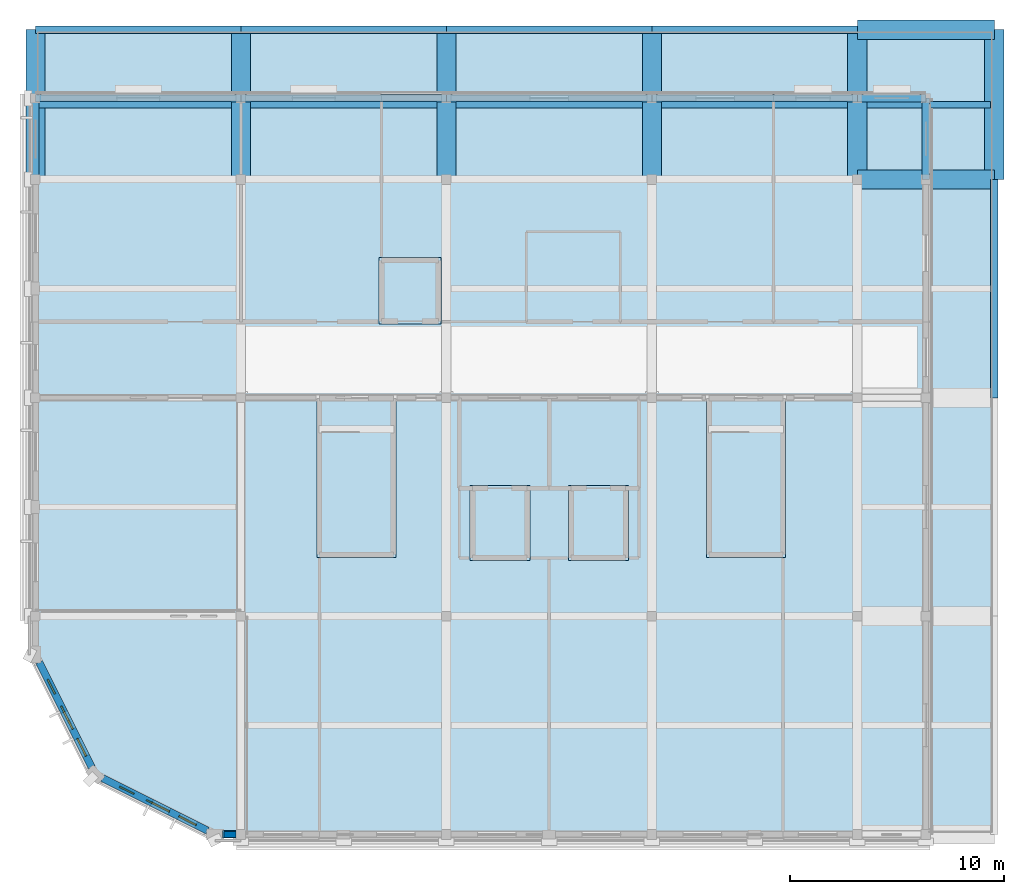
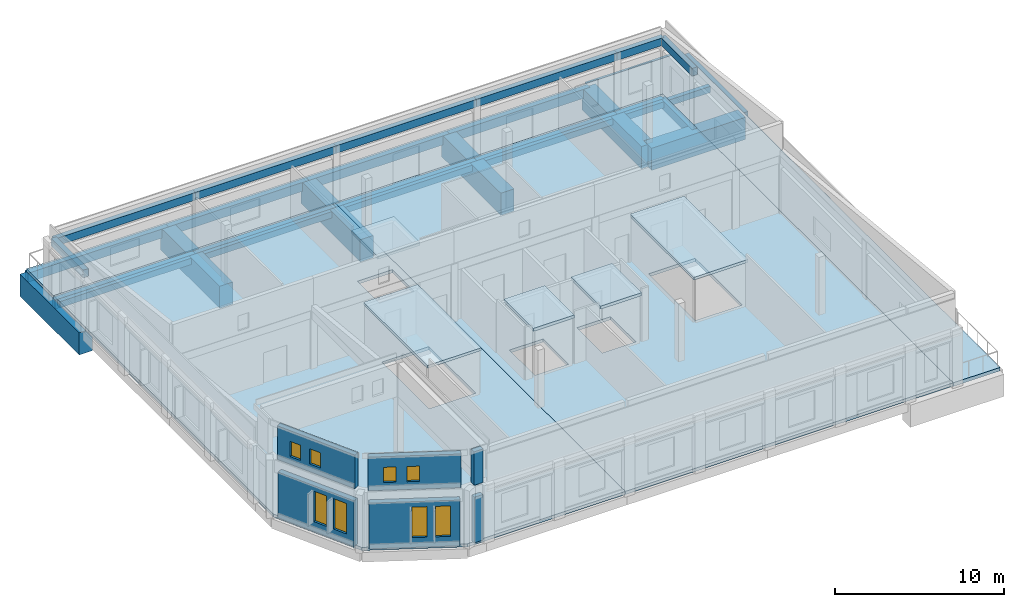
# One storey, part 2 of 8: 31 beams, 8 slabs, 8 windows, 6 walls, 8 openings.
"""IFC4 building model written with IfcOpenShell, lengths in metres."""

from ifc_helpers import new_model, si_unit, direction, frame, frame_2d, origin, origin_2d, place, context, subcontext, project, spatial, polyline, rectangle, outline, extrude, material, layer, layer_set, material_profile, profile_set, type_object, element, fill, save


model = new_model("IFC4")

# Units and contexts
model_context = context("Model", 3, precision=1e-05, world=origin(), true_north=direction((0.0, 1.0)))
body_context = subcontext(model_context, "Body", "Model", "MODEL_VIEW")
ifc_project = project(units=[si_unit("LENGTHUNIT", "METRE"), si_unit("AREAUNIT", "SQUARE_METRE"), si_unit("VOLUMEUNIT", "CUBIC_METRE"), si_unit("PLANEANGLEUNIT", "RADIAN"), si_unit("MASSUNIT", "GRAM", prefix="KILO")], contexts=[model_context])

# Site, building, storey
site_placement = place(None, origin())
site = spatial("IfcSite", under=ifc_project, at=site_placement, CompositionType="ELEMENT")
building_placement = place(site_placement, origin())
building = spatial("IfcBuilding", under=site, at=building_placement, Name="Vondelvale Polytechnic", CompositionType="ELEMENT")
storey_placement = place(building_placement, frame((0.0, 0.0, 30.60009765625)))
storey = spatial("IfcBuildingStorey", under=building, at=storey_placement, Name="L07", CompositionType="ELEMENT", Elevation=30.60009765625)

# Beams
ifc_material_1 = material(Name="Concrete N40 (f'c = 40 MPa)", Category="concrete")
ifc_material_profile_1 = material_profile(ifc_material_1, rectangle(XDim=0.35009765625, YDim=0.550048828125, at=origin_2d()), Name="RC-BM-350x550")
ifc_profile_set_1 = profile_set([ifc_material_profile_1], Name="Concrete N40 (f'c = 40 MPa)")
beam_type_1 = type_object("IfcBeamType", Name="BM-RC350x550", PredefinedType="BEAM", material=ifc_profile_set_1)
beam_1_placement = place(storey_placement, frame((0.0, 34.39990234375, 3.9248046875), z_axis=(1.0, 0.0, 0.0), x_axis=(0.0, 1.0, 0.0)))
element("IfcBeam", 1, at=beam_1_placement, inside=storey, type_object=beam_type_1, Name="L07 RT B-06", PredefinedType="BEAM", context=body_context, shape_type="SweptSolid", body=[
    extrude(rectangle(XDim=0.35009765625, YDim=0.550048828125, at=origin_2d()), origin(), (0.0, 0.0, 1.0), 9.60009765625),
])
beam_2_placement = place(storey_placement, frame((9.60009765625, 34.39990234375, 3.9248046875), z_axis=(1.0, 0.0, 0.0), x_axis=(0.0, 1.0, 0.0)))
element("IfcBeam", 2, at=beam_2_placement, inside=storey, type_object=beam_type_1, Name="L07 RT B-06", PredefinedType="BEAM", context=body_context, shape_type="SweptSolid", body=[
    extrude(rectangle(XDim=0.35009765625, YDim=0.550048828125, at=origin_2d()), origin(), (0.0, 0.0, 1.0), 9.599853515625),
])
beam_3_placement = place(storey_placement, frame((19.199951171875, 34.39990234375, 3.9248046875), z_axis=(1.0, 0.0, 0.0), x_axis=(0.0, 1.0, 0.0)))
element("IfcBeam", 3, at=beam_3_placement, inside=storey, type_object=beam_type_1, Name="L07 RT B-06", PredefinedType="BEAM", context=body_context, shape_type="SweptSolid", body=[
    extrude(rectangle(XDim=0.35009765625, YDim=0.550048828125, at=origin_2d()), origin(), (0.0, 0.0, 1.0), 9.60009765625),
])
beam_4_placement = place(storey_placement, frame((28.800048828125, 34.39990234375, 3.9248046875), z_axis=(1.0, 0.0, 0.0), x_axis=(0.0, 1.0, 0.0)))
element("IfcBeam", 4, at=beam_4_placement, inside=storey, type_object=beam_type_1, Name="L07 RT B-06", PredefinedType="BEAM", context=body_context, shape_type="SweptSolid", body=[
    extrude(rectangle(XDim=0.35009765625, YDim=0.550048828125, at=origin_2d()), origin(), (0.0, 0.0, 1.0), 9.599853515625),
])
beam_5_placement = place(storey_placement, frame((38.39990234375, 34.39990234375, 3.9248046875), z_axis=(1.0, 0.0, 0.0), x_axis=(0.0, 1.0, 0.0)))
element("IfcBeam", 5, at=beam_5_placement, inside=storey, type_object=beam_type_1, Name="L07 RT B-06", PredefinedType="BEAM", context=body_context, shape_type="SweptSolid", body=[
    extrude(rectangle(XDim=0.35009765625, YDim=0.550048828125, at=origin_2d()), origin(), (0.0, 0.0, 1.0), 3.2001953125),
])
for number, where, z_axis, x_axis, name in (
    (6, (0.0, 30.60009765625, 3.9248046875), (0.0, 1.0, 0.0), (-1.0, 0.0, 0.0), "L07 RT B-06"),
    (7, (41.60009765625, 30.60009765625, 3.9248046875), (0.0, 1.0, 0.0), (-1.0, 0.0, 0.0), "L07 RT B-06"),
):
    element("IfcBeam", number, at=place(storey_placement, frame(where, z_axis=z_axis, x_axis=x_axis)), inside=storey, type_object=beam_type_1, Name=name, PredefinedType="BEAM", context=body_context, shape_type="SweptSolid", body=[
        extrude(rectangle(XDim=0.35009765625, YDim=0.550048828125, at=origin_2d()), origin(), (0.0, 0.0, 1.0), 3.7998046875),
    ])
ifc_material_2 = material(Name="Concrete N50 (f'c = 50 MPa)", Category="concrete")
ifc_material_profile_2 = material_profile(ifc_material_2, rectangle(XDim=0.89990234375, YDim=1.60009765625, at=origin_2d()), Name="RC-TG-900x1600")
ifc_profile_set_2 = profile_set([ifc_material_profile_2], Name="Concrete N50 (f'c = 50 MPa)")
beam_type_2 = type_object("IfcBeamType", Name="BM-TG1600", PredefinedType="BEAM", material=ifc_profile_set_2)
for number, where, z_axis, x_axis, name in (
    (8, (38.39990234375, 30.60009765625, -1.025146484375), (1.0, 0.0, 0.0), (0.0, 1.0, 0.0), "L07 reinforced concrete transfer girder TG-02"),
    (9, (38.39990234375, 37.60009765625, -1.025146484375), (1.0, 0.0, 0.0), (0.0, 1.0, 0.0), "L07 reinforced concrete transfer girder TG-02"),
):
    element("IfcBeam", number, at=place(storey_placement, frame(where, z_axis=z_axis, x_axis=x_axis)), inside=storey, type_object=beam_type_2, Name=name, PredefinedType="BEAM", context=body_context, shape_type="SweptSolid", body=[
        extrude(rectangle(XDim=0.89990234375, YDim=1.60009765625, at=origin_2d()), origin(), (0.0, 0.0, 1.0), 6.400146484375),
    ])
for number, where, z_axis, x_axis, name in (
    (10, (0.0, 30.60009765625, -1.025146484375), (0.0, 1.0, 0.0), (-1.0, 0.0, 0.0), "L07 reinforced concrete transfer girder TG-02"),
    (11, (9.60009765625, 30.60009765625, -1.025146484375), (0.0, 1.0, 0.0), (-1.0, 0.0, 0.0), "L07 reinforced concrete transfer girder TG-02"),
    (12, (19.199951171875, 30.60009765625, -1.025146484375), (0.0, 1.0, 0.0), (-1.0, 0.0, 0.0), "L07 reinforced concrete transfer girder TG-02"),
    (13, (28.800048828125, 30.60009765625, -1.025146484375), (0.0, 1.0, 0.0), (-1.0, 0.0, 0.0), "L07 reinforced concrete transfer girder TG-02"),
    (14, (38.39990234375, 30.60009765625, -1.025146484375), (0.0, 1.0, 0.0), (-1.0, 0.0, 0.0), "L07 reinforced concrete transfer girder TG-02"),
    (15, (44.800048828125, 30.60009765625, -1.025146484375), (0.0, 1.0, 0.0), (-1.0, 0.0, 0.0), "L07 reinforced concrete transfer girder TG-02"),
):
    element("IfcBeam", number, at=place(storey_placement, frame(where, z_axis=z_axis, x_axis=x_axis)), inside=storey, type_object=beam_type_2, Name=name, PredefinedType="BEAM", context=body_context, shape_type="SweptSolid", body=[
        extrude(rectangle(XDim=0.89990234375, YDim=1.60009765625, at=origin_2d()), origin(), (0.0, 0.0, 1.0), 7.0),
    ])
ifc_material_profile_3 = material_profile(ifc_material_1, rectangle(XDim=0.300048828125, YDim=0.449951171875, at=origin_2d()), Name="RC-JST-300x450")
ifc_profile_set_3 = profile_set([ifc_material_profile_3], Name="Concrete N40 (f'c = 40 MPa)")
beam_type_3 = type_object("IfcBeamType", Name="JST-RC300x450", PredefinedType="JOIST", material=ifc_profile_set_3)
beam_6_placement = place(storey_placement, frame((0.175048828125, 34.10009765625, -0.4501953125), z_axis=(1.0, 0.0, 0.0), x_axis=(0.0, 1.0, 0.0)))
element("IfcBeam", 16, at=beam_6_placement, inside=storey, type_object=beam_type_3, Name="L07 J J-03", PredefinedType="JOIST", context=body_context, shape_type="SweptSolid", body=[
    extrude(rectangle(XDim=0.300048828125, YDim=0.449951171875, at=origin_2d()), origin(), (0.0, 0.0, 1.0), 8.974853515625),
])
beam_7_placement = place(storey_placement, frame((10.050048828125, 34.10009765625, -0.4501953125), z_axis=(1.0, 0.0, 0.0), x_axis=(0.0, 1.0, 0.0)))
element("IfcBeam", 17, at=beam_7_placement, inside=storey, type_object=beam_type_3, Name="L07 J J-03", PredefinedType="JOIST", context=body_context, shape_type="SweptSolid", body=[
    extrude(rectangle(XDim=0.300048828125, YDim=0.449951171875, at=origin_2d()), origin(), (0.0, 0.0, 1.0), 8.699951171875),
])
beam_8_placement = place(storey_placement, frame((19.64990234375, 34.10009765625, -0.4501953125), z_axis=(1.0, 0.0, 0.0), x_axis=(0.0, 1.0, 0.0)))
element("IfcBeam", 18, at=beam_8_placement, inside=storey, type_object=beam_type_3, Name="L07 J J-03", PredefinedType="JOIST", context=body_context, shape_type="SweptSolid", body=[
    extrude(rectangle(XDim=0.300048828125, YDim=0.449951171875, at=origin_2d()), origin(), (0.0, 0.0, 1.0), 8.7001953125),
])
beam_9_placement = place(storey_placement, frame((29.25, 34.10009765625, -0.4501953125), z_axis=(1.0, 0.0, 0.0), x_axis=(0.0, 1.0, 0.0)))
element("IfcBeam", 19, at=beam_9_placement, inside=storey, type_object=beam_type_3, Name="L07 J J-03", PredefinedType="JOIST", context=body_context, shape_type="SweptSolid", body=[
    extrude(rectangle(XDim=0.300048828125, YDim=0.449951171875, at=origin_2d()), origin(), (0.0, 0.0, 1.0), 8.699951171875),
])
beam_10_placement = place(storey_placement, frame((38.85009765625, 34.10009765625, -0.4501953125), z_axis=(1.0, 0.0, 0.0), x_axis=(0.0, 1.0, 0.0)))
element("IfcBeam", 20, at=beam_10_placement, inside=storey, type_object=beam_type_3, Name="L07 J J-03", PredefinedType="JOIST", context=body_context, shape_type="SweptSolid", body=[
    extrude(rectangle(XDim=0.300048828125, YDim=0.449951171875, at=origin_2d()), origin(), (0.0, 0.0, 1.0), 5.77490234375),
])
ifc_material_3 = material(Name="Precast concrete N40 (f'c = 40 MPa)", Category="concrete")
ifc_material_profile_4 = material_profile(ifc_material_3, rectangle(XDim=0.35009765625, YDim=0.64990234375, at=origin_2d()), Name="RC-SPN-350x650")
ifc_profile_set_4 = profile_set([ifc_material_profile_4], Name="Precast concrete N40 (f'c = 40 MPa)")
beam_type_4 = type_object("IfcBeamType", Name="SPN-PRE350x650", PredefinedType="SPANDREL", material=ifc_profile_set_4)
beam_11_placement = place(storey_placement, frame((0.0, 37.60009765625, -0.550048828125), z_axis=(1.0, 0.0, 0.0), x_axis=(0.0, 1.0, 0.0)))
element("IfcBeam", 21, at=beam_11_placement, inside=storey, type_object=beam_type_4, Name="L07 B SP-02", PredefinedType="SPANDREL", context=body_context, shape_type="SweptSolid", body=[
    extrude(rectangle(XDim=0.35009765625, YDim=0.64990234375, at=origin_2d()), origin(), (0.0, 0.0, 1.0), 9.60009765625),
])
beam_12_placement = place(storey_placement, frame((9.60009765625, 37.60009765625, -0.550048828125), z_axis=(1.0, 0.0, 0.0), x_axis=(0.0, 1.0, 0.0)))
element("IfcBeam", 22, at=beam_12_placement, inside=storey, type_object=beam_type_4, Name="L07 B SP-02", PredefinedType="SPANDREL", context=body_context, shape_type="SweptSolid", body=[
    extrude(rectangle(XDim=0.35009765625, YDim=0.64990234375, at=origin_2d()), origin(), (0.0, 0.0, 1.0), 9.599853515625),
])
beam_13_placement = place(storey_placement, frame((19.199951171875, 37.60009765625, -0.550048828125), z_axis=(1.0, 0.0, 0.0), x_axis=(0.0, 1.0, 0.0)))
element("IfcBeam", 23, at=beam_13_placement, inside=storey, type_object=beam_type_4, Name="L07 B SP-02", PredefinedType="SPANDREL", context=body_context, shape_type="SweptSolid", body=[
    extrude(rectangle(XDim=0.35009765625, YDim=0.64990234375, at=origin_2d()), origin(), (0.0, 0.0, 1.0), 9.60009765625),
])
beam_14_placement = place(storey_placement, frame((28.800048828125, 37.60009765625, -0.550048828125), z_axis=(1.0, 0.0, 0.0), x_axis=(0.0, 1.0, 0.0)))
element("IfcBeam", 24, at=beam_14_placement, inside=storey, type_object=beam_type_4, Name="L07 B SP-02", PredefinedType="SPANDREL", context=body_context, shape_type="SweptSolid", body=[
    extrude(rectangle(XDim=0.35009765625, YDim=0.64990234375, at=origin_2d()), origin(), (0.0, 0.0, 1.0), 9.599853515625),
])
beam_15_placement = place(storey_placement, frame((44.800048828125, 20.39990234375, -0.550048828125), z_axis=(0.0, 1.0, 0.0), x_axis=(-1.0, 0.0, 0.0)))
element("IfcBeam", 25, at=beam_15_placement, inside=storey, type_object=beam_type_4, Name="L07 B SP-02", PredefinedType="SPANDREL", context=body_context, shape_type="SweptSolid", body=[
    extrude(rectangle(XDim=0.35009765625, YDim=0.64990234375, at=origin_2d()), origin(), (0.0, 0.0, 1.0), 10.2001953125),
])
beam_16_placement = place(storey_placement, frame((41.60009765625, 30.60009765625, -0.550048828125), z_axis=(0.0, 1.0, 0.0), x_axis=(-1.0, 0.0, 0.0)))
element("IfcBeam", 26, at=beam_16_placement, inside=storey, type_object=beam_type_4, Name="L07 B SP-02", PredefinedType="SPANDREL", context=body_context, shape_type="SweptSolid", body=[
    extrude(rectangle(XDim=0.35009765625, YDim=0.64990234375, at=origin_2d()), origin(), (0.0, 0.0, 1.0), 3.7998046875),
])
beam_17_placement = place(storey_placement, frame((0.0, 34.39990234375, -0.550048828125), z_axis=(1.0, 0.0, 0.0), x_axis=(0.0, 1.0, 0.0)))
element("IfcBeam", 27, at=beam_17_placement, inside=storey, type_object=beam_type_4, Name="L07 B SP-02", PredefinedType="SPANDREL", context=body_context, shape_type="SweptSolid", body=[
    extrude(rectangle(XDim=0.35009765625, YDim=0.64990234375, at=origin_2d()), origin(), (0.0, 0.0, 1.0), 9.60009765625),
])
beam_18_placement = place(storey_placement, frame((9.60009765625, 34.39990234375, -0.550048828125), z_axis=(1.0, 0.0, 0.0), x_axis=(0.0, 1.0, 0.0)))
element("IfcBeam", 28, at=beam_18_placement, inside=storey, type_object=beam_type_4, Name="L07 B SP-02", PredefinedType="SPANDREL", context=body_context, shape_type="SweptSolid", body=[
    extrude(rectangle(XDim=0.35009765625, YDim=0.64990234375, at=origin_2d()), origin(), (0.0, 0.0, 1.0), 9.599853515625),
])
beam_19_placement = place(storey_placement, frame((19.199951171875, 34.39990234375, -0.550048828125), z_axis=(1.0, 0.0, 0.0), x_axis=(0.0, 1.0, 0.0)))
element("IfcBeam", 29, at=beam_19_placement, inside=storey, type_object=beam_type_4, Name="L07 B SP-02", PredefinedType="SPANDREL", context=body_context, shape_type="SweptSolid", body=[
    extrude(rectangle(XDim=0.35009765625, YDim=0.64990234375, at=origin_2d()), origin(), (0.0, 0.0, 1.0), 9.60009765625),
])
beam_20_placement = place(storey_placement, frame((28.800048828125, 34.39990234375, -0.550048828125), z_axis=(1.0, 0.0, 0.0), x_axis=(0.0, 1.0, 0.0)))
element("IfcBeam", 30, at=beam_20_placement, inside=storey, type_object=beam_type_4, Name="L07 B SP-02", PredefinedType="SPANDREL", context=body_context, shape_type="SweptSolid", body=[
    extrude(rectangle(XDim=0.35009765625, YDim=0.64990234375, at=origin_2d()), origin(), (0.0, 0.0, 1.0), 9.599853515625),
])
beam_21_placement = place(storey_placement, frame((38.39990234375, 34.39990234375, -0.550048828125), z_axis=(1.0, 0.0, 0.0), x_axis=(0.0, 1.0, 0.0)))
element("IfcBeam", 31, at=beam_21_placement, inside=storey, type_object=beam_type_4, Name="L07 B SP-02", PredefinedType="SPANDREL", context=body_context, shape_type="SweptSolid", body=[
    extrude(rectangle(XDim=0.35009765625, YDim=0.64990234375, at=origin_2d()), origin(), (0.0, 0.0, 1.0), 3.2001953125),
])

# Slabs
ifc_layer_1 = layer(ifc_material_1, 0.199951171875)
ifc_layer_set_1 = layer_set([ifc_layer_1], Name="SLB-ROOF-200")
slab_type_1 = type_object("IfcSlabType", Name="SLB-ROOF-200", PredefinedType="ROOF", material=ifc_layer_set_1)
slab_1_placement = place(storey_placement, frame((0.0, 0.0, 3.14990234375)))
element("IfcSlab", 32, at=slab_1_placement, inside=storey, type_object=slab_type_1, Name="ST-03 stair bulkhead roof slab", PredefinedType="ROOF", context=body_context, shape_type="SweptSolid", body=[
    extrude(outline(polyline([(13.14990234375, 20.5), (13.14990234375, 12.949951171875), (16.85009765625, 12.949951171875), (16.85009765625, 20.5), (13.14990234375, 20.5)])), origin(), (0.0, 0.0, 1.0), 0.199951171875),
])
slab_2_placement = place(storey_placement, frame((0.0, 0.0, 3.14990234375)))
element("IfcSlab", 33, at=slab_2_placement, inside=storey, type_object=slab_type_1, Name="ST-04 stair bulkhead roof slab", PredefinedType="ROOF", context=body_context, shape_type="SweptSolid", body=[
    extrude(outline(polyline([(31.35009765625, 20.5), (31.35009765625, 12.949951171875), (35.050048828125, 12.949951171875), (35.050048828125, 20.5), (31.35009765625, 20.5)])), origin(), (0.0, 0.0, 1.0), 0.199951171875),
])
slab_3_placement = place(storey_placement, frame((0.0, 0.0, 3.39990234375)))
element("IfcSlab", 34, at=slab_3_placement, inside=storey, type_object=slab_type_1, Name="EL-01 lift shaft overrun cap slab", PredefinedType="ROOF", context=body_context, shape_type="SweptSolid", body=[
    extrude(outline(polyline([(20.300048828125, 12.800048828125), (23.10009765625, 12.800048828125), (23.10009765625, 16.300048828125), (20.300048828125, 16.300048828125), (20.300048828125, 12.800048828125)])), origin(), (0.0, 0.0, 1.0), 0.219970703125),
])
slab_4_placement = place(storey_placement, frame((0.0, 0.0, 3.39990234375)))
element("IfcSlab", 35, at=slab_4_placement, inside=storey, type_object=slab_type_1, Name="EL-02 lift shaft overrun cap slab", PredefinedType="ROOF", context=body_context, shape_type="SweptSolid", body=[
    extrude(outline(polyline([(24.89990234375, 12.800048828125), (27.699951171875, 12.800048828125), (27.699951171875, 16.300048828125), (24.89990234375, 16.300048828125), (24.89990234375, 12.800048828125)])), origin(), (0.0, 0.0, 1.0), 0.219970703125),
])
slab_5_placement = place(storey_placement, frame((0.0, 0.0, 3.39990234375)))
element("IfcSlab", 36, at=slab_5_placement, inside=storey, type_object=slab_type_1, Name="PL-01 lift shaft overrun cap slab", PredefinedType="ROOF", context=body_context, shape_type="SweptSolid", body=[
    extrude(outline(polyline([(16.050048828125, 23.85009765625), (18.949951171875, 23.85009765625), (18.949951171875, 26.949951171875), (16.050048828125, 26.949951171875), (16.050048828125, 23.85009765625)])), origin(), (0.0, 0.0, 1.0), 0.219970703125),
])
ifc_layer_2 = layer(ifc_material_1, 0.22509765625)
ifc_layer_set_2 = layer_set([ifc_layer_2], Name="SLB-STUDIO-225")
slab_type_2 = type_object("IfcSlabType", Name="SLB-STUDIO-225", PredefinedType="FLOOR", material=ifc_layer_set_2)
slab_6_placement = place(storey_placement, frame((0.0, 0.0, -0.22509765625)))
element("IfcSlab", 37, at=slab_6_placement, inside=storey, type_object=slab_type_2, Name="L07 corner wing West slab", PredefinedType="FLOOR", context=body_context, shape_type="SweptSolid", body=[
    extrude(outline(polyline([(8.39990234375, 0.0), (19.199951171875, 0.0), (19.199951171875, 34.39990234375), (0.0, 34.39990234375), (0.0, 8.39990234375), (2.800048828125, 2.800048828125), (8.39990234375, 0.0)]), holes=[polyline([(13.39990234375, 18.75), (13.39990234375, 13.199951171875), (16.60009765625, 13.199951171875), (16.60009765625, 18.75), (13.39990234375, 18.75)]), polyline([(16.300048828125, 24.10009765625), (18.699951171875, 24.10009765625), (18.699951171875, 26.699951171875), (16.300048828125, 26.699951171875), (16.300048828125, 24.10009765625)])]), origin(), (0.0, 0.0, 1.0), 0.22509765625),
])
slab_7_placement = place(storey_placement, frame((0.0, 0.0, -0.22509765625)))
element("IfcSlab", 38, at=slab_7_placement, inside=storey, type_object=slab_type_2, Name="L07 corner wing East slab", PredefinedType="FLOOR", context=body_context, shape_type="SweptSolid", body=[
    extrude(outline(polyline([(19.199951171875, 0.0), (41.60009765625, 0.0), (41.60009765625, 34.39990234375), (19.199951171875, 34.39990234375), (19.199951171875, 0.0)]), holes=[polyline([(31.60009765625, 18.75), (31.60009765625, 13.199951171875), (34.800048828125, 13.199951171875), (34.800048828125, 18.75), (31.60009765625, 18.75)]), polyline([(20.550048828125, 13.050048828125), (22.85009765625, 13.050048828125), (22.85009765625, 16.050048828125), (20.550048828125, 16.050048828125), (20.550048828125, 13.050048828125)]), polyline([(25.14990234375, 13.050048828125), (27.449951171875, 13.050048828125), (27.449951171875, 16.050048828125), (25.14990234375, 16.050048828125), (25.14990234375, 13.050048828125)])]), origin(), (0.0, 0.0, 1.0), 0.22509765625),
])
ifc_layer_3 = layer(ifc_material_1, 0.260009765625)
ifc_layer_set_3 = layer_set([ifc_layer_3], Name="SLB-TERRACE-260")
slab_type_3 = type_object("IfcSlabType", Name="SLB-TERRACE-260", PredefinedType="FLOOR", material=ifc_layer_set_3)
slab_8_placement = place(storey_placement, frame((0.0, 0.0, -0.260009765625)))
element("IfcSlab", 39, at=slab_8_placement, inside=storey, type_object=slab_type_3, Name="L07 planted courtyard roof garden slab", PredefinedType="FLOOR", context=body_context, shape_type="SweptSolid", body=[
    extrude(outline(polyline([(41.60009765625, 0.0), (44.800048828125, 0.0), (44.800048828125, 37.60009765625), (0.0, 37.60009765625), (0.0, 34.39990234375), (41.60009765625, 34.39990234375), (41.60009765625, 0.0)])), origin(), (0.0, 0.0, 1.0), 0.260009765625),
])

# Wall
ifc_material_4 = material(Name="Amsterdam School iron-spot clinker clay brickwork", Category="masonry")
ifc_layer_4 = layer(ifc_material_4, 0.280029296875)
ifc_layer_set_4 = layer_set([ifc_layer_4], Name="WL-BRICK-280")
wall_type_1 = type_object("IfcWallType", Name="WL-BRICK-280", PredefinedType="SOLIDWALL", material=ifc_layer_set_4)
wall_1_placement = place(storey_placement, frame((9.3740234375, 0.0, 0.0), z_axis=(0.0, 0.0, 1.0), x_axis=(-1.0, 0.0, 0.0)))
element("IfcWall", 40, at=wall_1_placement, inside=storey, type_object=wall_type_1, Name="L07 exterior masonry facade wall", PredefinedType="SOLIDWALL", context=body_context, shape_type="SweptSolid", body=[
    extrude(rectangle(XDim=0.572998046875, YDim=0.280029296875, at=frame_2d((0.28662109375, 0.0))), origin(), (0.0, 0.0, 1.0), 3.2998046875),
])

# Wall, openings, windows
ifc_layer_5 = layer(ifc_material_4, 0.35009765625)
ifc_layer_set_5 = layer_set([ifc_layer_5], Name="WL-BRICK-350")
wall_type_2 = type_object("IfcWallType", Name="WL-BRICK-350", PredefinedType="SOLIDWALL", material=ifc_layer_set_5)
wall_2_placement = place(storey_placement, frame((7.9990234375, 0.200439453125, 0.0), z_axis=(0.0, 0.0, 1.0), x_axis=(-0.894418132042, 0.447231712958, 0.0)))
wall_2 = element("IfcWall", 41, at=wall_2_placement, inside=storey, type_object=wall_type_2, Name="L07 exterior masonry facade wall", PredefinedType="SOLIDWALL", context=body_context, shape_type="SweptSolid", body=[
    extrude(rectangle(XDim=5.39013671875, YDim=0.35009765625, at=frame_2d((2.695068359375, 0.0))), origin(), (0.0, 0.0, 1.0), 3.2998046875),
])
opening_1_placement = place(wall_2_placement, frame((0.550048828125, 0.0, 0.699951171875)))
opening_1 = element("IfcOpeningElement", 42, at=opening_1_placement, cuts=wall_2, Name="Opening WN-0290", PredefinedType="OPENING", context=body_context, shape_type="SweptSolid", body=[
    extrude(rectangle(XDim=0.89990234375, YDim=2.199951171875, at=frame_2d((0.449951171875, 1.10009765625))), frame((0.0, 0.18505859375, 0.0), z_axis=(0.0, -1.0, 0.0), x_axis=(1.0, 0.0, 0.0)), (0.0, 0.0, 1.0), 0.3701171875),
])
opening_2_placement = place(wall_2_placement, frame((1.949951171875, 0.0, 0.699951171875)))
opening_2 = element("IfcOpeningElement", 43, at=opening_2_placement, cuts=wall_2, Name="Opening WN-0291", PredefinedType="OPENING", context=body_context, shape_type="SweptSolid", body=[
    extrude(rectangle(XDim=0.89990234375, YDim=2.199951171875, at=frame_2d((0.449951171875, 1.10009765625))), frame((0.0, 0.18505859375, 0.0), z_axis=(0.0, -1.0, 0.0), x_axis=(1.0, 0.0, 0.0)), (0.0, 0.0, 1.0), 0.3701171875),
])
ifc_material_5 = material(Name="Double-glazed low-E insulated architectural glass", Category="glass")
window_type_1 = type_object("IfcWindowType", Name="WN-TUR-0900x2200", PartitioningType="SINGLE_PANEL", PredefinedType="WINDOW", material=ifc_material_5)
window_1_placement = place(opening_1_placement, origin())
window_1 = element("IfcWindow", 44, at=window_1_placement, inside=storey, type_object=window_type_1, Name="L07 double-glazed architectural window WN-0290", OverallHeight=2.199951171875, OverallWidth=0.89990234375, PartitioningType="SINGLE_PANEL", PredefinedType="WINDOW", context=body_context, shape_type="SweptSolid", body=[
    extrude(rectangle(XDim=0.89990234375, YDim=2.199951171875, at=frame_2d((0.449951171875, 1.10009765625))), frame((0.0, 0.030029296875, 0.0), z_axis=(0.0, -1.0, 0.0), x_axis=(1.0, 0.0, 0.0)), (0.0, 0.0, 1.0), 0.06005859375),
])
fill(opening_1, window_1)
window_2_placement = place(opening_2_placement, origin())
window_2 = element("IfcWindow", 45, at=window_2_placement, inside=storey, type_object=window_type_1, Name="L07 double-glazed architectural window WN-0291", OverallHeight=2.199951171875, OverallWidth=0.89990234375, PartitioningType="SINGLE_PANEL", PredefinedType="WINDOW", context=body_context, shape_type="SweptSolid", body=[
    extrude(rectangle(XDim=0.89990234375, YDim=2.199951171875, at=frame_2d((0.449951171875, 1.10009765625))), frame((0.0, 0.030029296875, 0.0), z_axis=(0.0, -1.0, 0.0), x_axis=(1.0, 0.0, 0.0)), (0.0, 0.0, 1.0), 0.06005859375),
])
fill(opening_2, window_2)

wall_3_placement = place(storey_placement, frame((2.611083984375, 3.177978515625, 0.0), z_axis=(0.0, 0.0, 1.0), x_axis=(-0.447231712958, 0.894418132042, 0.0)))
wall_3 = element("IfcWall", 46, at=wall_3_placement, inside=storey, type_object=wall_type_2, Name="L07 exterior masonry facade wall", PredefinedType="SOLIDWALL", context=body_context, shape_type="SweptSolid", body=[
    extrude(rectangle(XDim=5.39013671875, YDim=0.35009765625, at=frame_2d((2.695068359375, 0.0))), origin(), (0.0, 0.0, 1.0), 3.2998046875),
])
opening_3_placement = place(wall_3_placement, frame((0.550048828125, 0.0, 0.699951171875)))
opening_3 = element("IfcOpeningElement", 47, at=opening_3_placement, cuts=wall_3, Name="Opening WN-0292", PredefinedType="OPENING", context=body_context, shape_type="SweptSolid", body=[
    extrude(rectangle(XDim=0.89990234375, YDim=2.199951171875, at=frame_2d((0.449951171875, 1.10009765625))), frame((0.0, 0.18505859375, 0.0), z_axis=(0.0, -1.0, 0.0), x_axis=(1.0, 0.0, 0.0)), (0.0, 0.0, 1.0), 0.3701171875),
])
opening_4_placement = place(wall_3_placement, frame((1.949951171875, 0.0, 0.699951171875)))
opening_4 = element("IfcOpeningElement", 48, at=opening_4_placement, cuts=wall_3, Name="Opening WN-0293", PredefinedType="OPENING", context=body_context, shape_type="SweptSolid", body=[
    extrude(rectangle(XDim=0.89990234375, YDim=2.199951171875, at=frame_2d((0.449951171875, 1.10009765625))), frame((0.0, 0.18505859375, 0.0), z_axis=(0.0, -1.0, 0.0), x_axis=(1.0, 0.0, 0.0)), (0.0, 0.0, 1.0), 0.3701171875),
])
window_3_placement = place(opening_3_placement, origin())
window_3 = element("IfcWindow", 49, at=window_3_placement, inside=storey, type_object=window_type_1, Name="L07 double-glazed architectural window WN-0292", OverallHeight=2.199951171875, OverallWidth=0.89990234375, PartitioningType="SINGLE_PANEL", PredefinedType="WINDOW", context=body_context, shape_type="SweptSolid", body=[
    extrude(rectangle(XDim=0.89990234375, YDim=2.199951171875, at=frame_2d((0.449951171875, 1.10009765625))), frame((0.0, 0.030029296875, 0.0), z_axis=(0.0, -1.0, 0.0), x_axis=(1.0, 0.0, 0.0)), (0.0, 0.0, 1.0), 0.06005859375),
])
fill(opening_3, window_3)
window_4_placement = place(opening_4_placement, origin())
window_4 = element("IfcWindow", 50, at=window_4_placement, inside=storey, type_object=window_type_1, Name="L07 double-glazed architectural window WN-0293", OverallHeight=2.199951171875, OverallWidth=0.89990234375, PartitioningType="SINGLE_PANEL", PredefinedType="WINDOW", context=body_context, shape_type="SweptSolid", body=[
    extrude(rectangle(XDim=0.89990234375, YDim=2.199951171875, at=frame_2d((0.449951171875, 1.10009765625))), frame((0.0, 0.030029296875, 0.0), z_axis=(0.0, -1.0, 0.0), x_axis=(1.0, 0.0, 0.0)), (0.0, 0.0, 1.0), 0.06005859375),
])
fill(opening_4, window_4)

# Wall
wall_4_placement = place(storey_placement, frame((9.3740234375, 0.0, 4.199951171875), z_axis=(0.0, 0.0, 1.0), x_axis=(-1.0, 0.0, 0.0)))
element("IfcWall", 51, at=wall_4_placement, inside=storey, type_object=wall_type_2, Name="L07 exterior masonry facade wall", PredefinedType="SOLIDWALL", context=body_context, shape_type="SweptSolid", body=[
    extrude(rectangle(XDim=0.623046875, YDim=0.35009765625, at=frame_2d((0.3115234375, 0.0))), origin(), (0.0, 0.0, 1.0), 2.4228515625),
])

# Wall, openings, windows
wall_5_placement = place(storey_placement, frame((2.634521484375, 3.130859375, 4.199951171875), z_axis=(0.0, 0.0, 1.0), x_axis=(-0.44719583545, 0.894436070804, 0.0)))
wall_5 = element("IfcWall", 52, at=wall_5_placement, inside=storey, type_object=wall_type_2, Name="L07 exterior masonry facade wall", PredefinedType="SOLIDWALL", context=body_context, shape_type="SweptSolid", body=[
    extrude(rectangle(XDim=5.498779296875, YDim=0.35009765625, at=frame_2d((2.74951171875, 0.0))), origin(), (0.0, 0.0, 1.0), 2.4228515625),
])
opening_5_placement = place(wall_5_placement, frame((3.8486328125, 0.0, 0.550048828125)))
opening_5 = element("IfcOpeningElement", 53, at=opening_5_placement, cuts=wall_5, Name="Opening WN-0315", PredefinedType="OPENING", context=body_context, shape_type="SweptSolid", body=[
    extrude(rectangle(XDim=0.75, YDim=1.10009765625, at=frame_2d((0.375, 0.550048828125))), frame((0.0, 0.18505859375, 0.0), z_axis=(0.0, -1.0, 0.0), x_axis=(1.0, 0.0, 0.0)), (0.0, 0.0, 1.0), 0.3701171875),
])
opening_6_placement = place(wall_5_placement, frame((2.448486328125, 0.0, 0.550048828125)))
opening_6 = element("IfcOpeningElement", 54, at=opening_6_placement, cuts=wall_5, Name="Opening WN-0316", PredefinedType="OPENING", context=body_context, shape_type="SweptSolid", body=[
    extrude(rectangle(XDim=0.75, YDim=1.10009765625, at=frame_2d((0.375, 0.550048828125))), frame((0.0, 0.18505859375, 0.0), z_axis=(0.0, -1.0, 0.0), x_axis=(1.0, 0.0, 0.0)), (0.0, 0.0, 1.0), 0.3701171875),
])
window_type_2 = type_object("IfcWindowType", Name="WN-WC-0750x1100", PartitioningType="SINGLE_PANEL", PredefinedType="WINDOW", material=ifc_material_5)
window_5_placement = place(opening_5_placement, origin())
window_5 = element("IfcWindow", 55, at=window_5_placement, inside=storey, type_object=window_type_2, Name="L07 double-glazed architectural window WN-0315", OverallHeight=1.10009765625, OverallWidth=0.75, PartitioningType="SINGLE_PANEL", PredefinedType="WINDOW", context=body_context, shape_type="SweptSolid", body=[
    extrude(rectangle(XDim=0.75, YDim=1.10009765625, at=frame_2d((0.375, 0.550048828125))), frame((0.0, 0.030029296875, 0.0), z_axis=(0.0, -1.0, 0.0), x_axis=(1.0, 0.0, 0.0)), (0.0, 0.0, 1.0), 0.06005859375),
])
fill(opening_5, window_5)
window_6_placement = place(opening_6_placement, origin())
window_6 = element("IfcWindow", 56, at=window_6_placement, inside=storey, type_object=window_type_2, Name="L07 double-glazed architectural window WN-0316", OverallHeight=1.10009765625, OverallWidth=0.75, PartitioningType="SINGLE_PANEL", PredefinedType="WINDOW", context=body_context, shape_type="SweptSolid", body=[
    extrude(rectangle(XDim=0.75, YDim=1.10009765625, at=frame_2d((0.375, 0.550048828125))), frame((0.0, 0.030029296875, 0.0), z_axis=(0.0, -1.0, 0.0), x_axis=(1.0, 0.0, 0.0)), (0.0, 0.0, 1.0), 0.06005859375),
])
fill(opening_6, window_6)

wall_6_placement = place(storey_placement, frame((8.049072265625, 0.175537109375, 4.199951171875), z_axis=(0.0, 0.0, 1.0), x_axis=(-0.894436070804, 0.44719583545, 0.0)))
wall_6 = element("IfcWall", 57, at=wall_6_placement, inside=storey, type_object=wall_type_2, Name="L07 exterior masonry facade wall", PredefinedType="SOLIDWALL", context=body_context, shape_type="SweptSolid", body=[
    extrude(rectangle(XDim=5.498779296875, YDim=0.35009765625, at=frame_2d((2.74951171875, 0.0))), origin(), (0.0, 0.0, 1.0), 2.4228515625),
])
opening_7_placement = place(wall_6_placement, frame((3.8486328125, 0.0, 0.550048828125)))
opening_7 = element("IfcOpeningElement", 58, at=opening_7_placement, cuts=wall_6, Name="Opening WN-0317", PredefinedType="OPENING", context=body_context, shape_type="SweptSolid", body=[
    extrude(rectangle(XDim=0.75, YDim=1.10009765625, at=frame_2d((0.375, 0.550048828125))), frame((0.0, 0.18505859375, 0.0), z_axis=(0.0, -1.0, 0.0), x_axis=(1.0, 0.0, 0.0)), (0.0, 0.0, 1.0), 0.3701171875),
])
opening_8_placement = place(wall_6_placement, frame((2.448486328125, 0.0, 0.550048828125)))
opening_8 = element("IfcOpeningElement", 59, at=opening_8_placement, cuts=wall_6, Name="Opening WN-0318", PredefinedType="OPENING", context=body_context, shape_type="SweptSolid", body=[
    extrude(rectangle(XDim=0.75, YDim=1.10009765625, at=frame_2d((0.375, 0.550048828125))), frame((0.0, 0.18505859375, 0.0), z_axis=(0.0, -1.0, 0.0), x_axis=(1.0, 0.0, 0.0)), (0.0, 0.0, 1.0), 0.3701171875),
])
window_7_placement = place(opening_7_placement, origin())
window_7 = element("IfcWindow", 60, at=window_7_placement, inside=storey, type_object=window_type_2, Name="L07 double-glazed architectural window WN-0317", OverallHeight=1.10009765625, OverallWidth=0.75, PartitioningType="SINGLE_PANEL", PredefinedType="WINDOW", context=body_context, shape_type="SweptSolid", body=[
    extrude(rectangle(XDim=0.75, YDim=1.10009765625, at=frame_2d((0.375, 0.550048828125))), frame((0.0, 0.030029296875, 0.0), z_axis=(0.0, -1.0, 0.0), x_axis=(1.0, 0.0, 0.0)), (0.0, 0.0, 1.0), 0.06005859375),
])
fill(opening_7, window_7)
window_8_placement = place(opening_8_placement, origin())
window_8 = element("IfcWindow", 61, at=window_8_placement, inside=storey, type_object=window_type_2, Name="L07 double-glazed architectural window WN-0318", OverallHeight=1.10009765625, OverallWidth=0.75, PartitioningType="SINGLE_PANEL", PredefinedType="WINDOW", context=body_context, shape_type="SweptSolid", body=[
    extrude(rectangle(XDim=0.75, YDim=1.10009765625, at=frame_2d((0.375, 0.550048828125))), frame((0.0, 0.030029296875, 0.0), z_axis=(0.0, -1.0, 0.0), x_axis=(1.0, 0.0, 0.0)), (0.0, 0.0, 1.0), 0.06005859375),
])
fill(opening_8, window_8)

save(model, "model.ifc")
